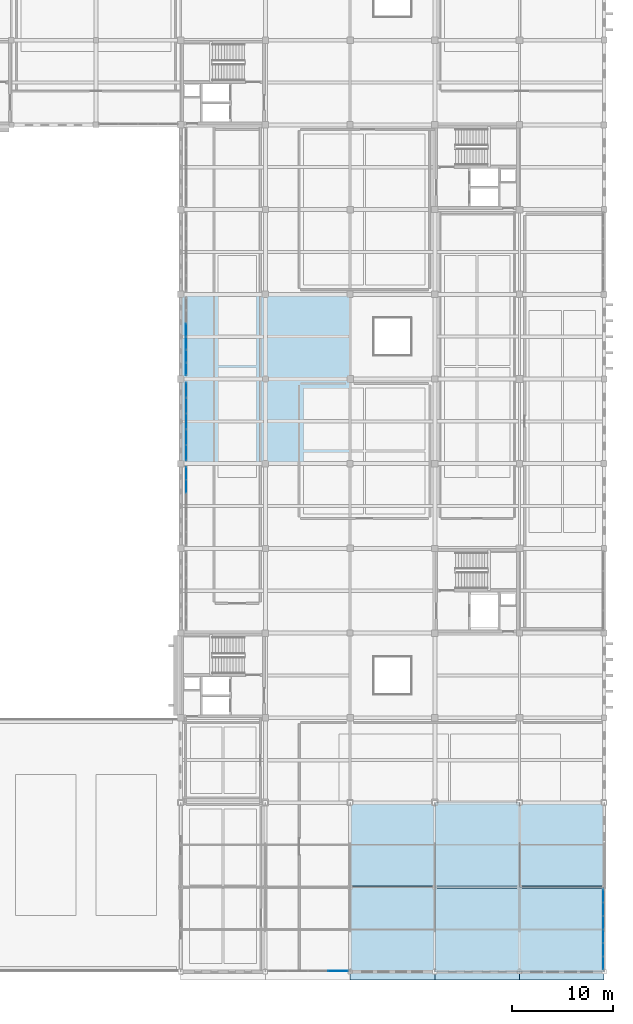
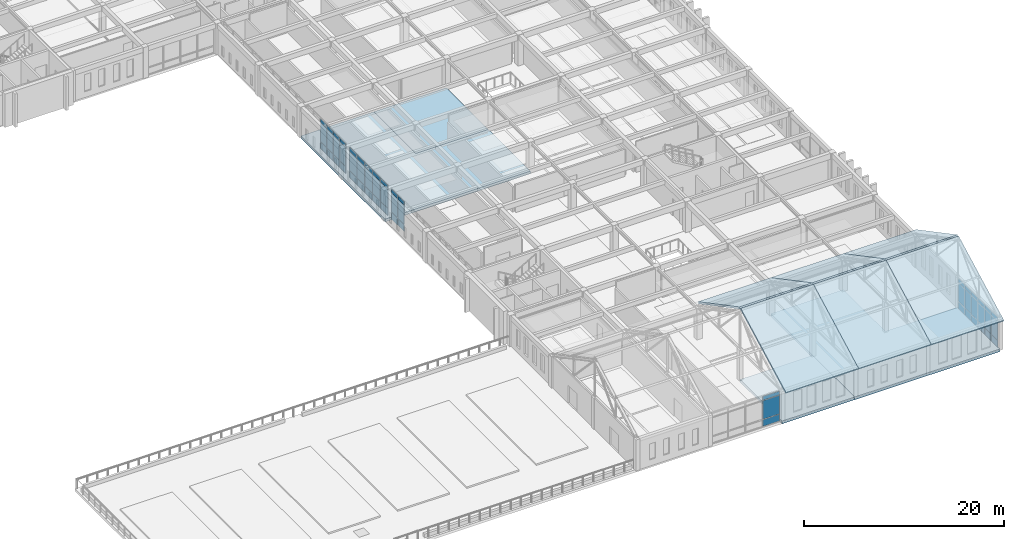
# One storey, part 23 of 47: 54 plates, 10 slabs, 5 elements without a shape of their own.
"""IFC4 building model written with IfcOpenShell, lengths in metres."""

from ifc_helpers import new_model, si_unit, direction, frame, origin, origin_2d, place, context, subcontext, project, spatial, polyline, rectangle, outline, extrude, material, layer, layer_set, type_object, element, aggregate, save


model = new_model("IFC4")

# Units and contexts
model_context = context("Model", 3, precision=1e-05, world=origin(), true_north=direction((0.0, 1.0)))
body_context = subcontext(model_context, "Body", "Model", "MODEL_VIEW")
ifc_project = project(units=[si_unit("LENGTHUNIT", "METRE"), si_unit("AREAUNIT", "SQUARE_METRE"), si_unit("VOLUMEUNIT", "CUBIC_METRE"), si_unit("PLANEANGLEUNIT", "RADIAN"), si_unit("MASSUNIT", "GRAM", prefix="KILO")], contexts=[model_context])

# Site, building, storey
site_placement = place(None, origin())
site = spatial("IfcSite", under=ifc_project, at=site_placement, CompositionType="ELEMENT")
building_placement = place(site_placement, origin())
building = spatial("IfcBuilding", under=site, at=building_placement, Name="Kveldsbrygga Polytechnic", CompositionType="ELEMENT")
storey_placement = place(building_placement, frame((0.0, 0.0, 13.93994140625)))
storey = spatial("IfcBuildingStorey", under=building, at=storey_placement, Name="L03", CompositionType="ELEMENT", Elevation=13.93994140625)

# Curtain wall, plates
ifc_material_1 = material(Name="Anodised aluminium AW-6060", Category="aluminium")
ifc_layer_1 = layer(ifc_material_1, 0.179931640625)
ifc_layer_set_1 = layer_set([ifc_layer_1], Name="Anodised aluminium AW-6060")
curtain_wall_type_1 = type_object("IfcCurtainWallType", Name="CW-CONC-A", PredefinedType="USERDEFINED", material=ifc_layer_set_1)
curtain_wall_1_placement = place(storey_placement, origin())
curtain_wall_1 = element("IfcCurtainWall", 1, at=curtain_wall_1_placement, inside=storey, type_object=curtain_wall_type_1, Name="Curtain Wall CW-L03-Y-15-05", ObjectType="UNITISED CURTAIN WALL", PredefinedType="USERDEFINED")
ifc_material_2 = material(Name="Insulated triple low-E glass", Category="glass")
ifc_layer_2 = layer(ifc_material_2, 0.035888671875)
ifc_layer_set_2 = layer_set([ifc_layer_2], Name="Insulated triple low-E glass")
plate_type_1 = type_object("IfcPlateType", Name="CW-PAN-VIS36", PredefinedType="CURTAIN_PANEL", material=ifc_layer_set_2)
plate_1_placement = place(storey_placement, frame((126.550048828125, 48.15625, 0.06005859375), z_axis=(0.0, 0.0, 1.0), x_axis=(0.0, 1.0, 0.0)))
plate_1 = element("IfcPlate", 2, at=plate_1_placement, type_object=plate_type_1, Name="CW-01 panel 5.1", PredefinedType="CURTAIN_PANEL", context=body_context, shape_type="SweptSolid", body=[
    extrude(rectangle(XDim=1.2392578125, YDim=0.035888671875, at=origin_2d()), origin(), (0.0, 0.0, 1.0), 0.81005859375),
])
plate_2_placement = place(storey_placement, frame((126.550048828125, 48.15625, 0.929931640625), z_axis=(0.0, 0.0, 1.0), x_axis=(0.0, 1.0, 0.0)))
plate_2 = element("IfcPlate", 3, at=plate_2_placement, type_object=plate_type_1, Name="CW-01 panel 5.2", PredefinedType="CURTAIN_PANEL", context=body_context, shape_type="SweptSolid", body=[
    extrude(rectangle(XDim=1.2392578125, YDim=0.035888671875, at=origin_2d()), origin(), (0.0, 0.0, 1.0), 2.27001953125),
])
plate_3_placement = place(storey_placement, frame((126.550048828125, 48.15625, 3.260009765625), z_axis=(0.0, 0.0, 1.0), x_axis=(0.0, 1.0, 0.0)))
plate_3 = element("IfcPlate", 4, at=plate_3_placement, type_object=plate_type_1, Name="CW-01 panel 5.3", PredefinedType="CURTAIN_PANEL", context=body_context, shape_type="SweptSolid", body=[
    extrude(rectangle(XDim=1.2392578125, YDim=0.035888671875, at=origin_2d()), origin(), (0.0, 0.0, 1.0), 0.4599609375),
])
plate_4_placement = place(storey_placement, frame((126.550048828125, 49.4404296875, 0.06005859375), z_axis=(0.0, 0.0, 1.0), x_axis=(0.0, 1.0, 0.0)))
plate_4 = element("IfcPlate", 5, at=plate_4_placement, type_object=plate_type_1, Name="CW-01 panel 6.1", PredefinedType="CURTAIN_PANEL", context=body_context, shape_type="SweptSolid", body=[
    extrude(rectangle(XDim=1.209228515625, YDim=0.035888671875, at=origin_2d()), origin(), (0.0, 0.0, 1.0), 0.81005859375),
])
plate_5_placement = place(storey_placement, frame((126.550048828125, 49.4404296875, 0.929931640625), z_axis=(0.0, 0.0, 1.0), x_axis=(0.0, 1.0, 0.0)))
plate_5 = element("IfcPlate", 6, at=plate_5_placement, type_object=plate_type_1, Name="CW-01 panel 6.2", PredefinedType="CURTAIN_PANEL", context=body_context, shape_type="SweptSolid", body=[
    extrude(rectangle(XDim=1.209228515625, YDim=0.035888671875, at=origin_2d()), origin(), (0.0, 0.0, 1.0), 2.27001953125),
])
plate_6_placement = place(storey_placement, frame((126.550048828125, 49.4404296875, 3.260009765625), z_axis=(0.0, 0.0, 1.0), x_axis=(0.0, 1.0, 0.0)))
plate_6 = element("IfcPlate", 7, at=plate_6_placement, type_object=plate_type_1, Name="CW-01 panel 6.3", PredefinedType="CURTAIN_PANEL", context=body_context, shape_type="SweptSolid", body=[
    extrude(rectangle(XDim=1.209228515625, YDim=0.035888671875, at=origin_2d()), origin(), (0.0, 0.0, 1.0), 0.4599609375),
])
aggregate(curtain_wall_1, [plate_1, plate_2, plate_3, plate_4, plate_5, plate_6])

curtain_wall_2_placement = place(storey_placement, origin())
curtain_wall_2 = element("IfcCurtainWall", 8, at=curtain_wall_2_placement, inside=storey, type_object=curtain_wall_type_1, Name="Curtain Wall CW-L03-Y-20-00", ObjectType="UNITISED CURTAIN WALL", PredefinedType="USERDEFINED")
plate_7_placement = place(storey_placement, frame((167.89990234375, 0.89208984375, 0.06005859375), z_axis=(0.0, 0.0, 1.0), x_axis=(0.0, 1.0, 0.0)))
plate_7 = element("IfcPlate", 9, at=plate_7_placement, type_object=plate_type_1, Name="CW-01 panel 1.1", PredefinedType="CURTAIN_PANEL", context=body_context, shape_type="SweptSolid", body=[
    extrude(rectangle(XDim=1.244140625, YDim=0.035888671875, at=origin_2d()), origin(), (0.0, 0.0, 1.0), 0.81005859375),
])
plate_8_placement = place(storey_placement, frame((167.89990234375, 0.89208984375, 0.929931640625), z_axis=(0.0, 0.0, 1.0), x_axis=(0.0, 1.0, 0.0)))
plate_8 = element("IfcPlate", 10, at=plate_8_placement, type_object=plate_type_1, Name="CW-01 panel 1.2", PredefinedType="CURTAIN_PANEL", context=body_context, shape_type="SweptSolid", body=[
    extrude(rectangle(XDim=1.244140625, YDim=0.035888671875, at=origin_2d()), origin(), (0.0, 0.0, 1.0), 2.27001953125),
])
plate_9_placement = place(storey_placement, frame((167.89990234375, 0.89208984375, 3.260009765625), z_axis=(0.0, 0.0, 1.0), x_axis=(0.0, 1.0, 0.0)))
plate_9 = element("IfcPlate", 11, at=plate_9_placement, type_object=plate_type_1, Name="CW-01 panel 1.3", PredefinedType="CURTAIN_PANEL", context=body_context, shape_type="SweptSolid", body=[
    extrude(rectangle(XDim=1.244140625, YDim=0.035888671875, at=origin_2d()), origin(), (0.0, 0.0, 1.0), 0.4599609375),
])
plate_10_placement = place(storey_placement, frame((167.89990234375, 2.211181640625, 0.06005859375), z_axis=(0.0, 0.0, 1.0), x_axis=(0.0, 1.0, 0.0)))
plate_10 = element("IfcPlate", 12, at=plate_10_placement, type_object=plate_type_1, Name="CW-01 panel 2.1", PredefinedType="CURTAIN_PANEL", context=body_context, shape_type="SweptSolid", body=[
    extrude(rectangle(XDim=1.274169921875, YDim=0.035888671875, at=origin_2d()), origin(), (0.0, 0.0, 1.0), 0.81005859375),
])
plate_11_placement = place(storey_placement, frame((167.89990234375, 2.211181640625, 0.929931640625), z_axis=(0.0, 0.0, 1.0), x_axis=(0.0, 1.0, 0.0)))
plate_11 = element("IfcPlate", 13, at=plate_11_placement, type_object=plate_type_1, Name="CW-01 panel 2.2", PredefinedType="CURTAIN_PANEL", context=body_context, shape_type="SweptSolid", body=[
    extrude(rectangle(XDim=1.274169921875, YDim=0.035888671875, at=origin_2d()), origin(), (0.0, 0.0, 1.0), 2.27001953125),
])
plate_12_placement = place(storey_placement, frame((167.89990234375, 2.211181640625, 3.260009765625), z_axis=(0.0, 0.0, 1.0), x_axis=(0.0, 1.0, 0.0)))
plate_12 = element("IfcPlate", 14, at=plate_12_placement, type_object=plate_type_1, Name="CW-01 panel 2.3", PredefinedType="CURTAIN_PANEL", context=body_context, shape_type="SweptSolid", body=[
    extrude(rectangle(XDim=1.274169921875, YDim=0.035888671875, at=origin_2d()), origin(), (0.0, 0.0, 1.0), 0.4599609375),
])
plate_13_placement = place(storey_placement, frame((167.89990234375, 3.54541015625, 0.06005859375), z_axis=(0.0, 0.0, 1.0), x_axis=(0.0, 1.0, 0.0)))
plate_13 = element("IfcPlate", 15, at=plate_13_placement, type_object=plate_type_1, Name="CW-01 panel 3.1", PredefinedType="CURTAIN_PANEL", context=body_context, shape_type="SweptSolid", body=[
    extrude(rectangle(XDim=1.274169921875, YDim=0.035888671875, at=origin_2d()), origin(), (0.0, 0.0, 1.0), 0.81005859375),
])
plate_14_placement = place(storey_placement, frame((167.89990234375, 3.54541015625, 0.929931640625), z_axis=(0.0, 0.0, 1.0), x_axis=(0.0, 1.0, 0.0)))
plate_14 = element("IfcPlate", 16, at=plate_14_placement, type_object=plate_type_1, Name="CW-01 panel 3.2", PredefinedType="CURTAIN_PANEL", context=body_context, shape_type="SweptSolid", body=[
    extrude(rectangle(XDim=1.274169921875, YDim=0.035888671875, at=origin_2d()), origin(), (0.0, 0.0, 1.0), 2.27001953125),
])
plate_15_placement = place(storey_placement, frame((167.89990234375, 3.54541015625, 3.260009765625), z_axis=(0.0, 0.0, 1.0), x_axis=(0.0, 1.0, 0.0)))
plate_15 = element("IfcPlate", 17, at=plate_15_placement, type_object=plate_type_1, Name="CW-01 panel 3.3", PredefinedType="CURTAIN_PANEL", context=body_context, shape_type="SweptSolid", body=[
    extrude(rectangle(XDim=1.274169921875, YDim=0.035888671875, at=origin_2d()), origin(), (0.0, 0.0, 1.0), 0.4599609375),
])
plate_16_placement = place(storey_placement, frame((167.89990234375, 4.879638671875, 0.06005859375), z_axis=(0.0, 0.0, 1.0), x_axis=(0.0, 1.0, 0.0)))
plate_16 = element("IfcPlate", 18, at=plate_16_placement, type_object=plate_type_1, Name="CW-01 panel 4.1", PredefinedType="CURTAIN_PANEL", context=body_context, shape_type="SweptSolid", body=[
    extrude(rectangle(XDim=1.274169921875, YDim=0.035888671875, at=origin_2d()), origin(), (0.0, 0.0, 1.0), 0.81005859375),
])
plate_17_placement = place(storey_placement, frame((167.89990234375, 4.879638671875, 0.929931640625), z_axis=(0.0, 0.0, 1.0), x_axis=(0.0, 1.0, 0.0)))
plate_17 = element("IfcPlate", 19, at=plate_17_placement, type_object=plate_type_1, Name="CW-01 panel 4.2", PredefinedType="CURTAIN_PANEL", context=body_context, shape_type="SweptSolid", body=[
    extrude(rectangle(XDim=1.274169921875, YDim=0.035888671875, at=origin_2d()), origin(), (0.0, 0.0, 1.0), 2.27001953125),
])
plate_18_placement = place(storey_placement, frame((167.89990234375, 4.879638671875, 3.260009765625), z_axis=(0.0, 0.0, 1.0), x_axis=(0.0, 1.0, 0.0)))
plate_18 = element("IfcPlate", 20, at=plate_18_placement, type_object=plate_type_1, Name="CW-01 panel 4.3", PredefinedType="CURTAIN_PANEL", context=body_context, shape_type="SweptSolid", body=[
    extrude(rectangle(XDim=1.274169921875, YDim=0.035888671875, at=origin_2d()), origin(), (0.0, 0.0, 1.0), 0.4599609375),
])
plate_19_placement = place(storey_placement, frame((167.89990234375, 6.2138671875, 0.06005859375), z_axis=(0.0, 0.0, 1.0), x_axis=(0.0, 1.0, 0.0)))
plate_19 = element("IfcPlate", 21, at=plate_19_placement, type_object=plate_type_1, Name="CW-01 panel 5.1", PredefinedType="CURTAIN_PANEL", context=body_context, shape_type="SweptSolid", body=[
    extrude(rectangle(XDim=1.274169921875, YDim=0.035888671875, at=origin_2d()), origin(), (0.0, 0.0, 1.0), 0.81005859375),
])
plate_20_placement = place(storey_placement, frame((167.89990234375, 6.2138671875, 0.929931640625), z_axis=(0.0, 0.0, 1.0), x_axis=(0.0, 1.0, 0.0)))
plate_20 = element("IfcPlate", 22, at=plate_20_placement, type_object=plate_type_1, Name="CW-01 panel 5.2", PredefinedType="CURTAIN_PANEL", context=body_context, shape_type="SweptSolid", body=[
    extrude(rectangle(XDim=1.274169921875, YDim=0.035888671875, at=origin_2d()), origin(), (0.0, 0.0, 1.0), 2.27001953125),
])
plate_21_placement = place(storey_placement, frame((167.89990234375, 6.2138671875, 3.260009765625), z_axis=(0.0, 0.0, 1.0), x_axis=(0.0, 1.0, 0.0)))
plate_21 = element("IfcPlate", 23, at=plate_21_placement, type_object=plate_type_1, Name="CW-01 panel 5.3", PredefinedType="CURTAIN_PANEL", context=body_context, shape_type="SweptSolid", body=[
    extrude(rectangle(XDim=1.274169921875, YDim=0.035888671875, at=origin_2d()), origin(), (0.0, 0.0, 1.0), 0.4599609375),
])
plate_22_placement = place(storey_placement, frame((167.89990234375, 7.532958984375, 0.06005859375), z_axis=(0.0, 0.0, 1.0), x_axis=(0.0, 1.0, 0.0)))
plate_22 = element("IfcPlate", 24, at=plate_22_placement, type_object=plate_type_1, Name="CW-01 panel 6.1", PredefinedType="CURTAIN_PANEL", context=body_context, shape_type="SweptSolid", body=[
    extrude(rectangle(XDim=1.244140625, YDim=0.035888671875, at=origin_2d()), origin(), (0.0, 0.0, 1.0), 0.81005859375),
])
plate_23_placement = place(storey_placement, frame((167.89990234375, 7.532958984375, 0.929931640625), z_axis=(0.0, 0.0, 1.0), x_axis=(0.0, 1.0, 0.0)))
plate_23 = element("IfcPlate", 25, at=plate_23_placement, type_object=plate_type_1, Name="CW-01 panel 6.2", PredefinedType="CURTAIN_PANEL", context=body_context, shape_type="SweptSolid", body=[
    extrude(rectangle(XDim=1.244140625, YDim=0.035888671875, at=origin_2d()), origin(), (0.0, 0.0, 1.0), 2.27001953125),
])
plate_24_placement = place(storey_placement, frame((167.89990234375, 7.532958984375, 3.260009765625), z_axis=(0.0, 0.0, 1.0), x_axis=(0.0, 1.0, 0.0)))
plate_24 = element("IfcPlate", 26, at=plate_24_placement, type_object=plate_type_1, Name="CW-01 panel 6.3", PredefinedType="CURTAIN_PANEL", context=body_context, shape_type="SweptSolid", body=[
    extrude(rectangle(XDim=1.244140625, YDim=0.035888671875, at=origin_2d()), origin(), (0.0, 0.0, 1.0), 0.4599609375),
])
aggregate(curtain_wall_2, [plate_7, plate_8, plate_9, plate_10, plate_11, plate_12, plate_13, plate_14, plate_15, plate_16, plate_17, plate_18, plate_19, plate_20, plate_21, plate_22, plate_23, plate_24])

ifc_layer_3 = layer(ifc_material_1, 0.199951171875)
ifc_layer_set_3 = layer_set([ifc_layer_3], Name="Anodised aluminium AW-6060")
curtain_wall_type_2 = type_object("IfcCurtainWallType", Name="CW-CONC-B", PredefinedType="USERDEFINED", material=ifc_layer_set_3)
curtain_wall_3_placement = place(storey_placement, origin())
curtain_wall_3 = element("IfcCurtainWall", 27, at=curtain_wall_3_placement, inside=storey, type_object=curtain_wall_type_2, Name="Curtain Wall CW-L03-Y-15-06", ObjectType="UNITISED CURTAIN WALL", PredefinedType="USERDEFINED")
ifc_layer_4 = layer(ifc_material_2, 0.0419921875)
ifc_layer_set_4 = layer_set([ifc_layer_4], Name="Insulated triple low-E glass")
plate_type_2 = type_object("IfcPlateType", Name="CW-PAN-VIS42", PredefinedType="CURTAIN_PANEL", material=ifc_layer_set_4)
plate_25_placement = place(storey_placement, frame((126.550048828125, 51.489501953125, 0.06005859375), z_axis=(0.0, 0.0, 1.0), x_axis=(0.0, 1.0, 0.0)))
plate_25 = element("IfcPlate", 28, at=plate_25_placement, type_object=plate_type_2, Name="CW-02 panel 1.1", PredefinedType="CURTAIN_PANEL", context=body_context, shape_type="SweptSolid", body=[
    extrude(rectangle(XDim=1.468994140625, YDim=0.0419921875, at=origin_2d()), origin(), (0.0, 0.0, 1.0), 0.81005859375),
])
plate_26_placement = place(storey_placement, frame((126.550048828125, 51.489501953125, 0.929931640625), z_axis=(0.0, 0.0, 1.0), x_axis=(0.0, 1.0, 0.0)))
plate_26 = element("IfcPlate", 29, at=plate_26_placement, type_object=plate_type_2, Name="CW-02 panel 1.2", PredefinedType="CURTAIN_PANEL", context=body_context, shape_type="SweptSolid", body=[
    extrude(rectangle(XDim=1.468994140625, YDim=0.0419921875, at=origin_2d()), origin(), (0.0, 0.0, 1.0), 2.27001953125),
])
plate_27_placement = place(storey_placement, frame((126.550048828125, 51.489501953125, 3.260009765625), z_axis=(0.0, 0.0, 1.0), x_axis=(0.0, 1.0, 0.0)))
plate_27 = element("IfcPlate", 30, at=plate_27_placement, type_object=plate_type_2, Name="CW-02 panel 1.3", PredefinedType="CURTAIN_PANEL", context=body_context, shape_type="SweptSolid", body=[
    extrude(rectangle(XDim=1.468994140625, YDim=0.0419921875, at=origin_2d()), origin(), (0.0, 0.0, 1.0), 0.4599609375),
])
plate_28_placement = place(storey_placement, frame((126.550048828125, 53.033447265625, 0.06005859375), z_axis=(0.0, 0.0, 1.0), x_axis=(0.0, 1.0, 0.0)))
plate_28 = element("IfcPlate", 31, at=plate_28_placement, type_object=plate_type_2, Name="CW-02 panel 2.1", PredefinedType="CURTAIN_PANEL", context=body_context, shape_type="SweptSolid", body=[
    extrude(rectangle(XDim=1.4990234375, YDim=0.0419921875, at=origin_2d()), origin(), (0.0, 0.0, 1.0), 0.81005859375),
])
plate_29_placement = place(storey_placement, frame((126.550048828125, 53.033447265625, 0.929931640625), z_axis=(0.0, 0.0, 1.0), x_axis=(0.0, 1.0, 0.0)))
plate_29 = element("IfcPlate", 32, at=plate_29_placement, type_object=plate_type_2, Name="CW-02 panel 2.2", PredefinedType="CURTAIN_PANEL", context=body_context, shape_type="SweptSolid", body=[
    extrude(rectangle(XDim=1.4990234375, YDim=0.0419921875, at=origin_2d()), origin(), (0.0, 0.0, 1.0), 2.27001953125),
])
plate_30_placement = place(storey_placement, frame((126.550048828125, 53.033447265625, 3.260009765625), z_axis=(0.0, 0.0, 1.0), x_axis=(0.0, 1.0, 0.0)))
plate_30 = element("IfcPlate", 33, at=plate_30_placement, type_object=plate_type_2, Name="CW-02 panel 2.3", PredefinedType="CURTAIN_PANEL", context=body_context, shape_type="SweptSolid", body=[
    extrude(rectangle(XDim=1.4990234375, YDim=0.0419921875, at=origin_2d()), origin(), (0.0, 0.0, 1.0), 0.4599609375),
])
plate_31_placement = place(storey_placement, frame((126.550048828125, 54.592529296875, 0.06005859375), z_axis=(0.0, 0.0, 1.0), x_axis=(0.0, 1.0, 0.0)))
plate_31 = element("IfcPlate", 34, at=plate_31_placement, type_object=plate_type_2, Name="CW-02 panel 3.1", PredefinedType="CURTAIN_PANEL", context=body_context, shape_type="SweptSolid", body=[
    extrude(rectangle(XDim=1.4990234375, YDim=0.0419921875, at=origin_2d()), origin(), (0.0, 0.0, 1.0), 0.81005859375),
])
plate_32_placement = place(storey_placement, frame((126.550048828125, 54.592529296875, 0.929931640625), z_axis=(0.0, 0.0, 1.0), x_axis=(0.0, 1.0, 0.0)))
plate_32 = element("IfcPlate", 35, at=plate_32_placement, type_object=plate_type_2, Name="CW-02 panel 3.2", PredefinedType="CURTAIN_PANEL", context=body_context, shape_type="SweptSolid", body=[
    extrude(rectangle(XDim=1.4990234375, YDim=0.0419921875, at=origin_2d()), origin(), (0.0, 0.0, 1.0), 2.27001953125),
])
plate_33_placement = place(storey_placement, frame((126.550048828125, 54.592529296875, 3.260009765625), z_axis=(0.0, 0.0, 1.0), x_axis=(0.0, 1.0, 0.0)))
plate_33 = element("IfcPlate", 36, at=plate_33_placement, type_object=plate_type_2, Name="CW-02 panel 3.3", PredefinedType="CURTAIN_PANEL", context=body_context, shape_type="SweptSolid", body=[
    extrude(rectangle(XDim=1.4990234375, YDim=0.0419921875, at=origin_2d()), origin(), (0.0, 0.0, 1.0), 0.4599609375),
])
plate_34_placement = place(storey_placement, frame((126.550048828125, 56.151611328125, 0.06005859375), z_axis=(0.0, 0.0, 1.0), x_axis=(0.0, 1.0, 0.0)))
plate_34 = element("IfcPlate", 37, at=plate_34_placement, type_object=plate_type_2, Name="CW-02 panel 4.1", PredefinedType="CURTAIN_PANEL", context=body_context, shape_type="SweptSolid", body=[
    extrude(rectangle(XDim=1.4990234375, YDim=0.0419921875, at=origin_2d()), origin(), (0.0, 0.0, 1.0), 0.81005859375),
])
plate_35_placement = place(storey_placement, frame((126.550048828125, 56.151611328125, 0.929931640625), z_axis=(0.0, 0.0, 1.0), x_axis=(0.0, 1.0, 0.0)))
plate_35 = element("IfcPlate", 38, at=plate_35_placement, type_object=plate_type_2, Name="CW-02 panel 4.2", PredefinedType="CURTAIN_PANEL", context=body_context, shape_type="SweptSolid", body=[
    extrude(rectangle(XDim=1.4990234375, YDim=0.0419921875, at=origin_2d()), origin(), (0.0, 0.0, 1.0), 2.27001953125),
])
plate_36_placement = place(storey_placement, frame((126.550048828125, 56.151611328125, 3.260009765625), z_axis=(0.0, 0.0, 1.0), x_axis=(0.0, 1.0, 0.0)))
plate_36 = element("IfcPlate", 39, at=plate_36_placement, type_object=plate_type_2, Name="CW-02 panel 4.3", PredefinedType="CURTAIN_PANEL", context=body_context, shape_type="SweptSolid", body=[
    extrude(rectangle(XDim=1.4990234375, YDim=0.0419921875, at=origin_2d()), origin(), (0.0, 0.0, 1.0), 0.4599609375),
])
plate_37_placement = place(storey_placement, frame((126.550048828125, 57.695556640625, 0.06005859375), z_axis=(0.0, 0.0, 1.0), x_axis=(0.0, 1.0, 0.0)))
plate_37 = element("IfcPlate", 40, at=plate_37_placement, type_object=plate_type_2, Name="CW-02 panel 5.1", PredefinedType="CURTAIN_PANEL", context=body_context, shape_type="SweptSolid", body=[
    extrude(rectangle(XDim=1.468994140625, YDim=0.0419921875, at=origin_2d()), origin(), (0.0, 0.0, 1.0), 0.81005859375),
])
plate_38_placement = place(storey_placement, frame((126.550048828125, 57.695556640625, 0.929931640625), z_axis=(0.0, 0.0, 1.0), x_axis=(0.0, 1.0, 0.0)))
plate_38 = element("IfcPlate", 41, at=plate_38_placement, type_object=plate_type_2, Name="CW-02 panel 5.2", PredefinedType="CURTAIN_PANEL", context=body_context, shape_type="SweptSolid", body=[
    extrude(rectangle(XDim=1.468994140625, YDim=0.0419921875, at=origin_2d()), origin(), (0.0, 0.0, 1.0), 2.27001953125),
])
plate_39_placement = place(storey_placement, frame((126.550048828125, 57.695556640625, 3.260009765625), z_axis=(0.0, 0.0, 1.0), x_axis=(0.0, 1.0, 0.0)))
plate_39 = element("IfcPlate", 42, at=plate_39_placement, type_object=plate_type_2, Name="CW-02 panel 5.3", PredefinedType="CURTAIN_PANEL", context=body_context, shape_type="SweptSolid", body=[
    extrude(rectangle(XDim=1.468994140625, YDim=0.0419921875, at=origin_2d()), origin(), (0.0, 0.0, 1.0), 0.4599609375),
])
aggregate(curtain_wall_3, [plate_25, plate_26, plate_27, plate_28, plate_29, plate_30, plate_31, plate_32, plate_33, plate_34, plate_35, plate_36, plate_37, plate_38, plate_39])

ifc_layer_5 = layer(ifc_material_1, 0.199951171875)
ifc_layer_set_5 = layer_set([ifc_layer_5], Name="Anodised aluminium AW-6060")
curtain_wall_type_3 = type_object("IfcCurtainWallType", Name="CW-LANC-E", PredefinedType="USERDEFINED", material=ifc_layer_set_5)
curtain_wall_4_placement = place(storey_placement, origin())
curtain_wall_4 = element("IfcCurtainWall", 43, at=curtain_wall_4_placement, inside=storey, type_object=curtain_wall_type_3, Name="Curtain Wall CW-L03-X-16-00", ObjectType="UNITISED CURTAIN WALL", PredefinedType="USERDEFINED")
plate_40_placement = place(storey_placement, frame((141.590576171875, 0.10009765625, 0.06005859375), z_axis=(0.0, 0.0, 1.0), x_axis=(1.0, 0.0, 0.0)))
plate_40 = element("IfcPlate", 44, at=plate_40_placement, type_object=plate_type_2, Name="CW-05 panel 4.1", PredefinedType="CURTAIN_PANEL", context=body_context, shape_type="SweptSolid", body=[
    extrude(rectangle(XDim=1.90869140625, YDim=0.0419921875, at=origin_2d()), origin(), (0.0, 0.0, 1.0), 0.81005859375),
])
plate_41_placement = place(storey_placement, frame((141.590576171875, 0.10009765625, 0.929931640625), z_axis=(0.0, 0.0, 1.0), x_axis=(1.0, 0.0, 0.0)))
plate_41 = element("IfcPlate", 45, at=plate_41_placement, type_object=plate_type_2, Name="CW-05 panel 4.2", PredefinedType="CURTAIN_PANEL", context=body_context, shape_type="SweptSolid", body=[
    extrude(rectangle(XDim=1.90869140625, YDim=0.0419921875, at=origin_2d()), origin(), (0.0, 0.0, 1.0), 2.27001953125),
])
plate_42_placement = place(storey_placement, frame((141.590576171875, 0.10009765625, 3.260009765625), z_axis=(0.0, 0.0, 1.0), x_axis=(1.0, 0.0, 0.0)))
plate_42 = element("IfcPlate", 46, at=plate_42_placement, type_object=plate_type_2, Name="CW-05 panel 4.3", PredefinedType="CURTAIN_PANEL", context=body_context, shape_type="SweptSolid", body=[
    extrude(rectangle(XDim=1.90869140625, YDim=0.0419921875, at=origin_2d()), origin(), (0.0, 0.0, 1.0), 0.4599609375),
])
aggregate(curtain_wall_4, [plate_40, plate_41, plate_42])

ifc_layer_6 = layer(ifc_material_1, 0.159912109375)
ifc_layer_set_6 = layer_set([ifc_layer_6], Name="Anodised aluminium AW-6060")
curtain_wall_type_4 = type_object("IfcCurtainWallType", Name="CW-CLER-C", PredefinedType="USERDEFINED", material=ifc_layer_set_6)
curtain_wall_5_placement = place(storey_placement, origin())
curtain_wall_5 = element("IfcCurtainWall", 47, at=curtain_wall_5_placement, inside=storey, type_object=curtain_wall_type_4, Name="Curtain Wall CW-L03-Y-15-07", ObjectType="STICK CURTAIN WALL", PredefinedType="USERDEFINED")
ifc_layer_7 = layer(ifc_material_2, 0.048095703125)
ifc_layer_set_7 = layer_set([ifc_layer_7], Name="Insulated triple low-E glass")
plate_type_3 = type_object("IfcPlateType", Name="CW-PAN-VIS48", PredefinedType="CURTAIN_PANEL", material=ifc_layer_set_7)
plate_43_placement = place(storey_placement, frame((126.550048828125, 59.7783203125, 0.074951171875), z_axis=(0.0, 0.0, 1.0), x_axis=(0.0, 1.0, 0.0)))
plate_43 = element("IfcPlate", 48, at=plate_43_placement, type_object=plate_type_3, Name="CW-03 panel 1.1", PredefinedType="CURTAIN_PANEL", context=body_context, shape_type="SweptSolid", body=[
    extrude(rectangle(XDim=1.186767578125, YDim=0.048095703125, at=origin_2d()), origin(), (0.0, 0.0, 1.0), 0.78759765625),
])
plate_44_placement = place(storey_placement, frame((126.550048828125, 59.7783203125, 0.9375), z_axis=(0.0, 0.0, 1.0), x_axis=(0.0, 1.0, 0.0)))
plate_44 = element("IfcPlate", 49, at=plate_44_placement, type_object=plate_type_3, Name="CW-03 panel 1.2", PredefinedType="CURTAIN_PANEL", context=body_context, shape_type="SweptSolid", body=[
    extrude(rectangle(XDim=1.186767578125, YDim=0.048095703125, at=origin_2d()), origin(), (0.0, 0.0, 1.0), 2.2548828125),
])
plate_45_placement = place(storey_placement, frame((126.550048828125, 59.7783203125, 3.267578125), z_axis=(0.0, 0.0, 1.0), x_axis=(0.0, 1.0, 0.0)))
plate_45 = element("IfcPlate", 50, at=plate_45_placement, type_object=plate_type_3, Name="CW-03 panel 1.3", PredefinedType="CURTAIN_PANEL", context=body_context, shape_type="SweptSolid", body=[
    extrude(rectangle(XDim=1.186767578125, YDim=0.048095703125, at=origin_2d()), origin(), (0.0, 0.0, 1.0), 0.4375),
])
plate_46_placement = place(storey_placement, frame((126.550048828125, 61.058837890625, 0.074951171875), z_axis=(0.0, 0.0, 1.0), x_axis=(0.0, 1.0, 0.0)))
plate_46 = element("IfcPlate", 51, at=plate_46_placement, type_object=plate_type_3, Name="CW-03 panel 2.1", PredefinedType="CURTAIN_PANEL", context=body_context, shape_type="SweptSolid", body=[
    extrude(rectangle(XDim=1.22412109375, YDim=0.048095703125, at=origin_2d()), origin(), (0.0, 0.0, 1.0), 0.78759765625),
])
plate_47_placement = place(storey_placement, frame((126.550048828125, 61.058837890625, 0.9375), z_axis=(0.0, 0.0, 1.0), x_axis=(0.0, 1.0, 0.0)))
plate_47 = element("IfcPlate", 52, at=plate_47_placement, type_object=plate_type_3, Name="CW-03 panel 2.2", PredefinedType="CURTAIN_PANEL", context=body_context, shape_type="SweptSolid", body=[
    extrude(rectangle(XDim=1.22412109375, YDim=0.048095703125, at=origin_2d()), origin(), (0.0, 0.0, 1.0), 2.2548828125),
])
plate_48_placement = place(storey_placement, frame((126.550048828125, 61.058837890625, 3.267578125), z_axis=(0.0, 0.0, 1.0), x_axis=(0.0, 1.0, 0.0)))
plate_48 = element("IfcPlate", 53, at=plate_48_placement, type_object=plate_type_3, Name="CW-03 panel 2.3", PredefinedType="CURTAIN_PANEL", context=body_context, shape_type="SweptSolid", body=[
    extrude(rectangle(XDim=1.22412109375, YDim=0.048095703125, at=origin_2d()), origin(), (0.0, 0.0, 1.0), 0.4375),
])
plate_49_placement = place(storey_placement, frame((126.550048828125, 62.35791015625, 0.074951171875), z_axis=(0.0, 0.0, 1.0), x_axis=(0.0, 1.0, 0.0)))
plate_49 = element("IfcPlate", 54, at=plate_49_placement, type_object=plate_type_3, Name="CW-03 panel 3.1", PredefinedType="CURTAIN_PANEL", context=body_context, shape_type="SweptSolid", body=[
    extrude(rectangle(XDim=1.22412109375, YDim=0.048095703125, at=origin_2d()), origin(), (0.0, 0.0, 1.0), 0.78759765625),
])
plate_50_placement = place(storey_placement, frame((126.550048828125, 62.35791015625, 0.9375), z_axis=(0.0, 0.0, 1.0), x_axis=(0.0, 1.0, 0.0)))
plate_50 = element("IfcPlate", 55, at=plate_50_placement, type_object=plate_type_3, Name="CW-03 panel 3.2", PredefinedType="CURTAIN_PANEL", context=body_context, shape_type="SweptSolid", body=[
    extrude(rectangle(XDim=1.22412109375, YDim=0.048095703125, at=origin_2d()), origin(), (0.0, 0.0, 1.0), 2.2548828125),
])
plate_51_placement = place(storey_placement, frame((126.550048828125, 62.35791015625, 3.267578125), z_axis=(0.0, 0.0, 1.0), x_axis=(0.0, 1.0, 0.0)))
plate_51 = element("IfcPlate", 56, at=plate_51_placement, type_object=plate_type_3, Name="CW-03 panel 3.3", PredefinedType="CURTAIN_PANEL", context=body_context, shape_type="SweptSolid", body=[
    extrude(rectangle(XDim=1.22412109375, YDim=0.048095703125, at=origin_2d()), origin(), (0.0, 0.0, 1.0), 0.4375),
])
plate_52_placement = place(storey_placement, frame((126.550048828125, 63.656982421875, 0.074951171875), z_axis=(0.0, 0.0, 1.0), x_axis=(0.0, 1.0, 0.0)))
plate_52 = element("IfcPlate", 57, at=plate_52_placement, type_object=plate_type_3, Name="CW-03 panel 4.1", PredefinedType="CURTAIN_PANEL", context=body_context, shape_type="SweptSolid", body=[
    extrude(rectangle(XDim=1.22412109375, YDim=0.048095703125, at=origin_2d()), origin(), (0.0, 0.0, 1.0), 0.78759765625),
])
plate_53_placement = place(storey_placement, frame((126.550048828125, 63.656982421875, 0.9375), z_axis=(0.0, 0.0, 1.0), x_axis=(0.0, 1.0, 0.0)))
plate_53 = element("IfcPlate", 58, at=plate_53_placement, type_object=plate_type_3, Name="CW-03 panel 4.2", PredefinedType="CURTAIN_PANEL", context=body_context, shape_type="SweptSolid", body=[
    extrude(rectangle(XDim=1.22412109375, YDim=0.048095703125, at=origin_2d()), origin(), (0.0, 0.0, 1.0), 2.2548828125),
])
plate_54_placement = place(storey_placement, frame((126.550048828125, 63.656982421875, 3.267578125), z_axis=(0.0, 0.0, 1.0), x_axis=(0.0, 1.0, 0.0)))
plate_54 = element("IfcPlate", 59, at=plate_54_placement, type_object=plate_type_3, Name="CW-03 panel 4.3", PredefinedType="CURTAIN_PANEL", context=body_context, shape_type="SweptSolid", body=[
    extrude(rectangle(XDim=1.22412109375, YDim=0.048095703125, at=origin_2d()), origin(), (0.0, 0.0, 1.0), 0.4375),
])
aggregate(curtain_wall_5, [plate_43, plate_44, plate_45, plate_46, plate_47, plate_48, plate_49, plate_50, plate_51, plate_52, plate_53, plate_54])

# Slabs
ifc_material_3 = material(Name="Concrete C35/45", Category="concrete")
ifc_layer_8 = layer(ifc_material_3, 0.219970703125)
ifc_layer_set_8 = layer_set([ifc_layer_8], Name="Concrete C35/45")
slab_type_1 = type_object("IfcSlabType", Name="SLB-ROOF-220", PredefinedType="ROOF", material=ifc_layer_set_8)
slab_1_placement = place(storey_placement, frame((142.800048828125, -0.800048828125, 3.984375), z_axis=(0.0, -0.468119209959, 0.883665324242), x_axis=(1.0, 0.0, 0.0)))
element("IfcSlab", 60, at=slab_1_placement, inside=storey, type_object=slab_type_1, Name="Pitched Roof Slab V4S4-RSLB-3-1", PredefinedType="ROOF", context=body_context, shape_type="SweptSolid", body=[
    extrude(outline(polyline([(0.0, 0.0), (8.39990234375, 0.0), (8.39990234375, 10.272156424478153), (0.0, 10.272156424478153), (0.0, 0.0)])), origin(), (0.0, 0.0, -1.0), 0.219970703125),
])
slab_2_placement = place(storey_placement, frame((142.800048828125, 8.52294921875, 8.79296875), z_axis=(0.0, 0.468118833338, 0.883665523756), x_axis=(1.0, 0.0, 0.0)))
element("IfcSlab", 61, at=slab_2_placement, inside=storey, type_object=slab_type_1, Name="Pitched Roof Slab V4S4-RSLB-3-2", PredefinedType="ROOF", context=body_context, shape_type="SweptSolid", body=[
    extrude(outline(polyline([(0.0, 0.0), (8.39990234375, 0.0), (8.39990234375, 9.36677893033125), (0.0, 9.36677893033125), (0.0, 0.0)])), origin(), (0.0, 0.0, -1.0), 0.219970703125),
])
slab_3_placement = place(storey_placement, frame((151.199951171875, -0.800048828125, 3.984375), z_axis=(0.0, -0.468119209959, 0.883665324242), x_axis=(1.0, 0.0, 0.0)))
element("IfcSlab", 62, at=slab_3_placement, inside=storey, type_object=slab_type_1, Name="Pitched Roof Slab V4S4-RSLB-4-1", PredefinedType="ROOF", context=body_context, shape_type="SweptSolid", body=[
    extrude(outline(polyline([(0.0, 0.0), (8.400146484375, 0.0), (8.400146484375, 10.272156424478153), (0.0, 10.272156424478153), (0.0, 0.0)])), origin(), (0.0, 0.0, -1.0), 0.219970703125),
])
slab_4_placement = place(storey_placement, frame((151.199951171875, 8.52294921875, 8.79296875), z_axis=(0.0, 0.468118833338, 0.883665523756), x_axis=(1.0, 0.0, 0.0)))
element("IfcSlab", 63, at=slab_4_placement, inside=storey, type_object=slab_type_1, Name="Pitched Roof Slab V4S4-RSLB-4-2", PredefinedType="ROOF", context=body_context, shape_type="SweptSolid", body=[
    extrude(outline(polyline([(0.0, 0.0), (8.400146484375, 0.0), (8.400146484375, 9.366778930331249), (0.0, 9.366778930331249), (0.0, 0.0)])), origin(), (0.0, 0.0, -1.0), 0.219970703125),
])
slab_5_placement = place(storey_placement, frame((159.60009765625, -0.800048828125, 3.984375), z_axis=(0.0, -0.468119209959, 0.883665324242), x_axis=(1.0, 0.0, 0.0)))
element("IfcSlab", 64, at=slab_5_placement, inside=storey, type_object=slab_type_1, Name="Pitched Roof Slab V4S4-RSLB-5-1", PredefinedType="ROOF", context=body_context, shape_type="SweptSolid", body=[
    extrude(outline(polyline([(0.0, 0.0), (8.39990234375, 0.0), (8.39990234375, 10.272156424478153), (0.0, 10.272156424478153), (0.0, 0.0)])), origin(), (0.0, 0.0, -1.0), 0.219970703125),
])
slab_6_placement = place(storey_placement, frame((159.60009765625, 8.52294921875, 8.79296875), z_axis=(0.0, 0.468118833338, 0.883665523756), x_axis=(1.0, 0.0, 0.0)))
element("IfcSlab", 65, at=slab_6_placement, inside=storey, type_object=slab_type_1, Name="Pitched Roof Slab V4S4-RSLB-5-2", PredefinedType="ROOF", context=body_context, shape_type="SweptSolid", body=[
    extrude(outline(polyline([(0.0, 0.0), (8.39990234375, 0.0), (8.39990234375, 9.36677893033125), (0.0, 9.36677893033125), (0.0, 0.0)])), origin(), (0.0, 0.0, -1.0), 0.219970703125),
])
ifc_layer_9 = layer(ifc_material_3, 0.330078125)
ifc_layer_set_9 = layer_set([ifc_layer_9], Name="Concrete C35/45")
slab_type_2 = type_object("IfcSlabType", Name="SLB-STACK-330", PredefinedType="FLOOR", material=ifc_layer_set_9)
slab_7_placement = place(storey_placement, frame((0.0, 0.0, -0.329833984375)))
element("IfcSlab", 66, at=slab_7_placement, inside=storey, type_object=slab_type_2, Name="Slab SLB-L03-V4-L05-1", PredefinedType="FLOOR", context=body_context, shape_type="SweptSolid", body=[
    extrude(outline(polyline([(126.0, 50.39990234375), (126.0, 58.800048828125), (126.0, 67.199951171875), (134.39990234375, 67.199951171875), (134.39990234375, 58.800048828125), (142.800048828125, 58.800048828125), (142.800048828125, 50.39990234375), (134.39990234375, 50.39990234375), (126.0, 50.39990234375)])), origin(), (0.0, 0.0, 1.0), 0.329833984375),
])
slab_8_placement = place(storey_placement, frame((0.0, 0.0, -0.329833984375)))
element("IfcSlab", 67, at=slab_8_placement, inside=storey, type_object=slab_type_2, Name="Slab SLB-L03-V4-L15-1", PredefinedType="FLOOR", context=body_context, shape_type="SweptSolid", body=[
    extrude(outline(polyline([(151.199951171875, 0.0), (151.199951171875, 8.39990234375), (151.199951171875, 16.800048828125), (159.60009765625, 16.800048828125), (159.60009765625, 8.39990234375), (168.0, 8.39990234375), (168.0, 0.0), (159.60009765625, 0.0), (151.199951171875, 0.0)])), origin(), (0.0, 0.0, 1.0), 0.329833984375),
])
slab_9_placement = place(storey_placement, frame((0.0, 0.0, -0.329833984375)))
element("IfcSlab", 68, at=slab_9_placement, inside=storey, type_object=slab_type_2, Name="Slab SLB-L03-V4-Z3-1", PredefinedType="FLOOR", context=body_context, shape_type="SweptSolid", body=[
    extrude(outline(polyline([(151.199951171875, 8.39990234375), (151.199951171875, 0.0), (142.800048828125, 0.0), (142.800048828125, 8.39990234375), (151.199951171875, 8.39990234375)])), origin(), (0.0, 0.0, 1.0), 0.329833984375),
])
slab_10_placement = place(storey_placement, frame((0.0, 0.0, -0.329833984375)))
element("IfcSlab", 69, at=slab_10_placement, inside=storey, type_object=slab_type_2, Name="Slab SLB-L03-V4-Z6-3", PredefinedType="FLOOR", context=body_context, shape_type="SweptSolid", body=[
    extrude(outline(polyline([(142.800048828125, 58.800048828125), (134.39990234375, 58.800048828125), (134.39990234375, 67.199951171875), (142.800048828125, 67.199951171875), (142.800048828125, 58.800048828125)])), origin(), (0.0, 0.0, 1.0), 0.329833984375),
])

save(model, "model.ifc")
